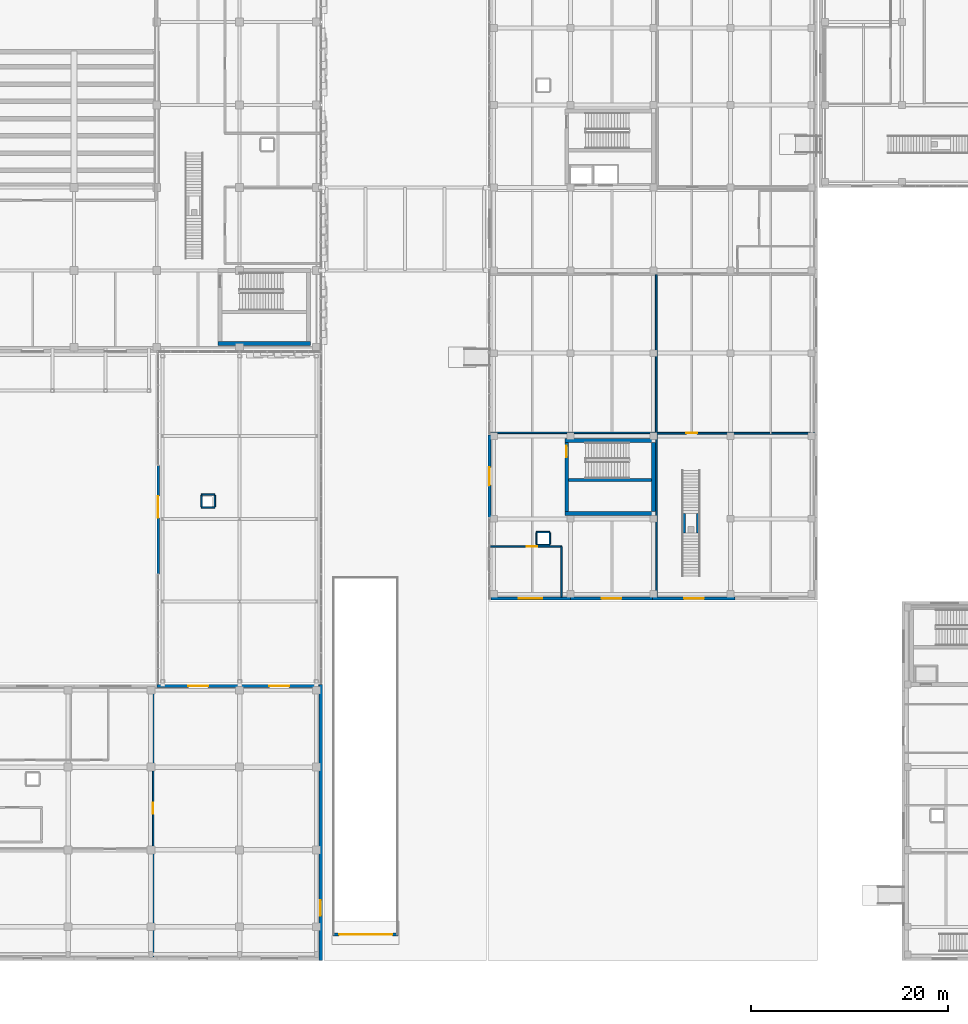
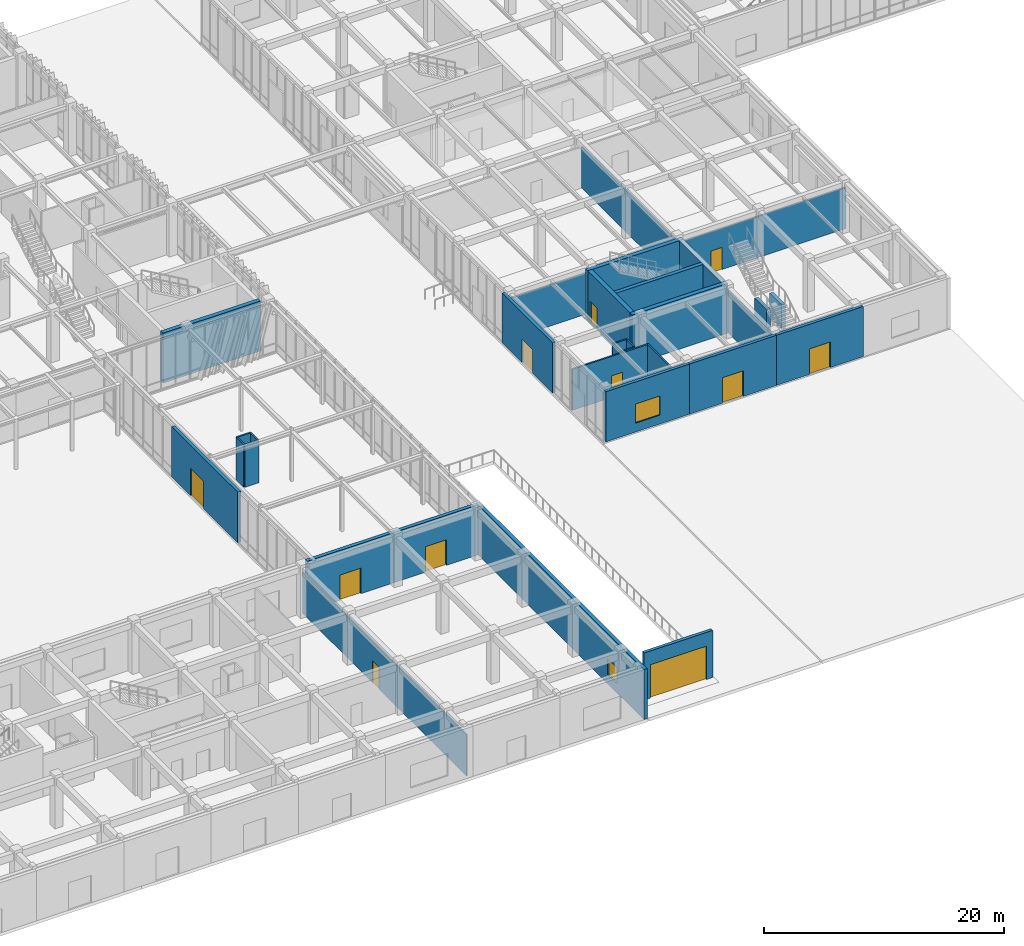
# One storey, part 95 of 122: 32 walls, 11 doors, 2 windows, 13 openings.
"""IFC4 building model written with IfcOpenShell, lengths in metres."""

from ifc_helpers import new_model, si_unit, direction, frame, frame_2d, origin, place, context, subcontext, project, spatial, rectangle, extrude, material, layer, layer_set, type_object, element, fill, save


model = new_model("IFC4")

# Units and contexts
model_context = context("Model", 3, precision=1e-05, world=origin(), true_north=direction((0.0, 1.0)))
body_context = subcontext(model_context, "Body", "Model", "MODEL_VIEW")
ifc_project = project(units=[si_unit("LENGTHUNIT", "METRE"), si_unit("AREAUNIT", "SQUARE_METRE"), si_unit("VOLUMEUNIT", "CUBIC_METRE"), si_unit("PLANEANGLEUNIT", "RADIAN"), si_unit("MASSUNIT", "GRAM", prefix="KILO")], contexts=[model_context])

# Site, building, storey
site_placement = place(None, origin())
site = spatial("IfcSite", under=ifc_project, at=site_placement, CompositionType="ELEMENT")
building_placement = place(site_placement, origin())
building = spatial("IfcBuilding", under=site, at=building_placement, Name="Zayran Congress Hotel", CompositionType="ELEMENT")
storey_placement = place(building_placement, origin())
storey = spatial("IfcBuildingStorey", under=building, at=storey_placement, Name="L00", CompositionType="ELEMENT", Elevation=0.0)

# Wall, opening, door
ifc_material_1 = material(Name="Hajar Ma'ani limestone and insulated concrete C32/40", Category="masonry")
ifc_layer_1 = layer(ifc_material_1, 0.340087890625)
ifc_layer_set_1 = layer_set([ifc_layer_1], Name="Hajar Ma'ani limestone and insulated concrete C32/40")
wall_type_1 = type_object("IfcWallType", Name="WL-EX-340", PredefinedType="SOLIDWALL", material=ifc_layer_set_1)
wall_1_placement = place(storey_placement, frame((75.60009765625, 33.830078125, 0.0), z_axis=(0.0, 0.0, 1.0), x_axis=(1.0, 0.0, 0.0)))
wall_1 = element("IfcWall", 1, at=wall_1_placement, inside=storey, type_object=wall_type_1, Name="EW-V5-N-L00-8", PredefinedType="SOLIDWALL", context=body_context, shape_type="SweptSolid", body=[
    extrude(rectangle(XDim=8.39990234375, YDim=0.340087890625, at=frame_2d((4.199951171875, 0.0))), origin(), (0.0, 0.0, 1.0), 5.10009765625),
])
opening_1_placement = place(wall_1_placement, frame((3.199951171875, 0.0, 0.0)))
opening_1 = element("IfcOpeningElement", 2, at=opening_1_placement, cuts=wall_1, Name="Opening DEX-02", PredefinedType="OPENING", context=body_context, shape_type="SweptSolid", body=[
    extrude(rectangle(XDim=2.0, YDim=2.60009765625, at=frame_2d((1.0, 1.300048828125))), frame((0.0, 0.179931640625, 0.0), z_axis=(0.0, -1.0, 0.0), x_axis=(1.0, 0.0, 0.0)), (0.0, 0.0, 1.0), 0.360107421875),
])
ifc_material_2 = material(Name="Anodised aluminium glazed entrance door", Category="aluminium")
door_type_1 = type_object("IfcDoorType", Name="TP-DEX-02", OperationType="DOUBLE_DOOR_SINGLE_SWING", PredefinedType="DOOR", material=ifc_material_2)
door_1_placement = place(opening_1_placement, origin())
door_1 = element("IfcDoor", 3, at=door_1_placement, inside=storey, type_object=door_type_1, Name="Hotel Forecourt Exit Door 43", OperationType="DOUBLE_DOOR_SINGLE_SWING", OverallHeight=2.60009765625, OverallWidth=2.0, PredefinedType="DOOR", context=body_context, shape_type="SweptSolid", body=[
    extrude(rectangle(XDim=2.0, YDim=2.60009765625, at=frame_2d((1.0, 1.300048828125))), frame((0.0, 0.02490234375, 0.0), z_axis=(0.0, -1.0, 0.0), x_axis=(1.0, 0.0, 0.0)), (0.0, 0.0, 1.0), 0.050048828125),
])
fill(opening_1, door_1)

wall_2_placement = place(storey_placement, frame((84.0, 33.830078125, 0.0), z_axis=(0.0, 0.0, 1.0), x_axis=(1.0, 0.0, 0.0)))
wall_2 = element("IfcWall", 4, at=wall_2_placement, inside=storey, type_object=wall_type_1, Name="EW-V5-N-L00-9", PredefinedType="SOLIDWALL", context=body_context, shape_type="SweptSolid", body=[
    extrude(rectangle(XDim=8.06005859375, YDim=0.340087890625, at=frame_2d((4.030029296875, 0.0))), origin(), (0.0, 0.0, 1.0), 5.10009765625),
])
opening_2_placement = place(wall_2_placement, frame((3.030029296875, 0.0, 0.0)))
opening_2 = element("IfcOpeningElement", 5, at=opening_2_placement, cuts=wall_2, Name="Opening DEX-02", PredefinedType="OPENING", context=body_context, shape_type="SweptSolid", body=[
    extrude(rectangle(XDim=2.0, YDim=2.60009765625, at=frame_2d((1.0, 1.300048828125))), frame((0.0, 0.179931640625, 0.0), z_axis=(0.0, -1.0, 0.0), x_axis=(1.0, 0.0, 0.0)), (0.0, 0.0, 1.0), 0.360107421875),
])
door_2_placement = place(opening_2_placement, origin())
door_2 = element("IfcDoor", 6, at=door_2_placement, inside=storey, type_object=door_type_1, Name="Hotel Forecourt Exit Door 44", OperationType="DOUBLE_DOOR_SINGLE_SWING", OverallHeight=2.60009765625, OverallWidth=2.0, PredefinedType="DOOR", context=body_context, shape_type="SweptSolid", body=[
    extrude(rectangle(XDim=2.0, YDim=2.60009765625, at=frame_2d((1.0, 1.300048828125))), frame((0.0, 0.02490234375, 0.0), z_axis=(0.0, -1.0, 0.0), x_axis=(1.0, 0.0, 0.0)), (0.0, 0.0, 1.0), 0.050048828125),
])
fill(opening_2, door_2)

# Wall, opening, window
wall_3_placement = place(storey_placement, frame((92.22998046875, 34.0, 0.0), z_axis=(0.0, 0.0, 1.0), x_axis=(0.0, -1.0, 0.0)))
wall_3 = element("IfcWall", 7, at=wall_3_placement, inside=storey, type_object=wall_type_1, Name="EW-V5-E-L00", PredefinedType="SOLIDWALL", context=body_context, shape_type="SweptSolid", body=[
    extrude(rectangle(XDim=28.0, YDim=0.340087890625, at=frame_2d((14.0, 0.0))), origin(), (0.0, 0.0, 1.0), 5.10009765625),
])
opening_3_placement = place(wall_3_placement, frame((21.89990234375, 0.0, 0.949951171875)))
opening_3 = element("IfcOpeningElement", 8, at=opening_3_placement, cuts=wall_3, Name="Opening WN-15", PredefinedType="OPENING", context=body_context, shape_type="SweptSolid", body=[
    extrude(rectangle(XDim=1.60009765625, YDim=1.60009765625, at=frame_2d((0.800048828125, 0.800048828125))), frame((0.0, 0.179931640625, 0.0), z_axis=(0.0, -1.0, 0.0), x_axis=(1.0, 0.0, 0.0)), (0.0, 0.0, 1.0), 0.360107421875),
])
ifc_material_3 = material(Name="Anodised aluminium and low-E insulated glass", Category="aluminium")
window_type_1 = type_object("IfcWindowType", Name="TP-WN-15", PartitioningType="SINGLE_PANEL", PredefinedType="WINDOW", material=ifc_material_3)
window_1_placement = place(opening_3_placement, origin())
window_1 = element("IfcWindow", 9, at=window_1_placement, inside=storey, type_object=window_type_1, Name="WIN-V5E-L00", OverallHeight=1.60009765625, OverallWidth=1.60009765625, PartitioningType="SINGLE_PANEL", PredefinedType="WINDOW", context=body_context, shape_type="SweptSolid", body=[
    extrude(rectangle(XDim=1.60009765625, YDim=1.60009765625, at=frame_2d((0.800048828125, 0.800048828125))), frame((0.0, 0.030029296875, 0.0), z_axis=(0.0, -1.0, 0.0), x_axis=(1.0, 0.0, 0.0)), (0.0, 0.0, 1.0), 0.06005859375),
])
fill(opening_3, window_1)

ifc_material_4 = material(Name="Ajlun white limestone and insulated concrete C32/40", Category="masonry")
ifc_layer_2 = layer(ifc_material_4, 0.300048828125)
ifc_layer_set_2 = layer_set([ifc_layer_2], Name="Ajlun white limestone and insulated concrete C32/40")
wall_type_2 = type_object("IfcWallType", Name="WL-EX-300", PredefinedType="SOLIDWALL", material=ifc_layer_set_2)
wall_4_placement = place(storey_placement, frame((117.56201171875, 42.699951171875, 0.0), z_axis=(0.0, 0.0, 1.0), x_axis=(-1.0, 0.0, 0.0)))
wall_4 = element("IfcWall", 10, at=wall_4_placement, inside=storey, type_object=wall_type_2, Name="EW-V4-S-L00-0", PredefinedType="SOLIDWALL", context=body_context, shape_type="SweptSolid", body=[
    extrude(rectangle(XDim=8.06201171875, YDim=0.300048828125, at=frame_2d((4.031005859375, 0.0))), origin(), (0.0, 0.0, 1.0), 5.10009765625),
])
opening_4_placement = place(wall_4_placement, frame((2.841064453125, 0.0, 0.89990234375)))
opening_4 = element("IfcOpeningElement", 11, at=opening_4_placement, cuts=wall_4, Name="Opening WN-41", PredefinedType="OPENING", context=body_context, shape_type="SweptSolid", body=[
    extrude(rectangle(XDim=2.3798828125, YDim=1.949951171875, at=frame_2d((1.18994140625, 0.97509765625))), frame((0.0, 0.159912109375, 0.0), z_axis=(0.0, -1.0, 0.0), x_axis=(1.0, 0.0, 0.0)), (0.0, 0.0, 1.0), 0.320068359375),
])
window_type_2 = type_object("IfcWindowType", Name="TP-WN-41", PartitioningType="DOUBLE_PANEL_VERTICAL", PredefinedType="WINDOW", material=ifc_material_3)
window_2_placement = place(opening_4_placement, origin())
window_2 = element("IfcWindow", 12, at=window_2_placement, inside=storey, type_object=window_type_2, Name="WIN-V4-0099", OverallHeight=1.949951171875, OverallWidth=2.3798828125, PartitioningType="SINGLE_PANEL", PredefinedType="WINDOW", context=body_context, shape_type="SweptSolid", body=[
    extrude(rectangle(XDim=2.3798828125, YDim=1.949951171875, at=frame_2d((1.18994140625, 0.97509765625))), frame((0.0, 0.030029296875, 0.0), z_axis=(0.0, -1.0, 0.0), x_axis=(1.0, 0.0, 0.0)), (0.0, 0.0, 1.0), 0.06005859375),
])
fill(opening_4, window_2)

# Wall, opening, door
wall_5_placement = place(storey_placement, frame((125.925048828125, 42.699951171875, 0.0), z_axis=(0.0, 0.0, 1.0), x_axis=(-1.0, 0.0, 0.0)))
wall_5 = element("IfcWall", 13, at=wall_5_placement, inside=storey, type_object=wall_type_2, Name="EW-V4-S-L00-1", PredefinedType="SOLIDWALL", context=body_context, shape_type="SweptSolid", body=[
    extrude(rectangle(XDim=8.363037109375, YDim=0.300048828125, at=frame_2d((4.181640625, 0.0))), origin(), (0.0, 0.0, 1.0), 5.10009765625),
])
opening_5_placement = place(wall_5_placement, frame((3.180908203125, 0.0, 0.0)))
opening_5 = element("IfcOpeningElement", 14, at=opening_5_placement, cuts=wall_5, Name="Opening DEX-02", PredefinedType="OPENING", context=body_context, shape_type="SweptSolid", body=[
    extrude(rectangle(XDim=2.0, YDim=2.60009765625, at=frame_2d((1.0, 1.300048828125))), frame((0.0, 0.159912109375, 0.0), z_axis=(0.0, -1.0, 0.0), x_axis=(1.0, 0.0, 0.0)), (0.0, 0.0, 1.0), 0.320068359375),
])
door_3_placement = place(opening_5_placement, origin())
door_3 = element("IfcDoor", 15, at=door_3_placement, inside=storey, type_object=door_type_1, Name="V4 Exterior Entrance Door 20", OperationType="DOUBLE_DOOR_SINGLE_SWING", OverallHeight=2.60009765625, OverallWidth=2.0, PredefinedType="DOOR", context=body_context, shape_type="SweptSolid", body=[
    extrude(rectangle(XDim=2.0, YDim=2.60009765625, at=frame_2d((1.0, 1.300048828125))), frame((0.0, 0.02490234375, 0.0), z_axis=(0.0, -1.0, 0.0), x_axis=(1.0, 0.0, 0.0)), (0.0, 0.0, 1.0), 0.050048828125),
])
fill(opening_5, door_3)

wall_6_placement = place(storey_placement, frame((134.287109375, 42.699951171875, 0.0), z_axis=(0.0, 0.0, 1.0), x_axis=(-1.0, 0.0, 0.0)))
wall_6 = element("IfcWall", 16, at=wall_6_placement, inside=storey, type_object=wall_type_2, Name="EW-V4-S-L00-2", PredefinedType="SOLIDWALL", context=body_context, shape_type="SweptSolid", body=[
    extrude(rectangle(XDim=8.362060546875, YDim=0.300048828125, at=frame_2d((4.18115234375, 0.0))), origin(), (0.0, 0.0, 1.0), 5.10009765625),
])
opening_6_placement = place(wall_6_placement, frame((3.180908203125, 0.0, 0.0)))
opening_6 = element("IfcOpeningElement", 17, at=opening_6_placement, cuts=wall_6, Name="Opening DEX-02", PredefinedType="OPENING", context=body_context, shape_type="SweptSolid", body=[
    extrude(rectangle(XDim=2.0, YDim=2.60009765625, at=frame_2d((1.0, 1.300048828125))), frame((0.0, 0.159912109375, 0.0), z_axis=(0.0, -1.0, 0.0), x_axis=(1.0, 0.0, 0.0)), (0.0, 0.0, 1.0), 0.320068359375),
])
door_4_placement = place(opening_6_placement, origin())
door_4 = element("IfcDoor", 18, at=door_4_placement, inside=storey, type_object=door_type_1, Name="V4 Exterior Entrance Door 22", OperationType="DOUBLE_DOOR_SINGLE_SWING", OverallHeight=2.60009765625, OverallWidth=2.0, PredefinedType="DOOR", context=body_context, shape_type="SweptSolid", body=[
    extrude(rectangle(XDim=2.0, YDim=2.60009765625, at=frame_2d((1.0, 1.300048828125))), frame((0.0, 0.02490234375, 0.0), z_axis=(0.0, -1.0, 0.0), x_axis=(1.0, 0.0, 0.0)), (0.0, 0.0, 1.0), 0.050048828125),
])
fill(opening_6, door_4)

wall_7_placement = place(storey_placement, frame((109.35009765625, 50.930908203125, 0.0), z_axis=(0.0, 0.0, 1.0), x_axis=(0.0, 1.0, 0.0)))
wall_7 = element("IfcWall", 19, at=wall_7_placement, inside=storey, type_object=wall_type_2, Name="EW-V4-W-L00-1", PredefinedType="SOLIDWALL", context=body_context, shape_type="SweptSolid", body=[
    extrude(rectangle(XDim=8.381103515625, YDim=0.300048828125, at=frame_2d((4.1904296875, 0.0))), origin(), (0.0, 0.0, 1.0), 5.10009765625),
])
opening_7_placement = place(wall_7_placement, frame((3.291015625, 0.0, 0.0)))
opening_7 = element("IfcOpeningElement", 20, at=opening_7_placement, cuts=wall_7, Name="Opening DEX-03", PredefinedType="OPENING", context=body_context, shape_type="SweptSolid", body=[
    extrude(rectangle(XDim=1.800048828125, YDim=2.39990234375, at=frame_2d((0.89990234375, 1.199951171875))), frame((0.0, 0.159912109375, 0.0), z_axis=(0.0, -1.0, 0.0), x_axis=(1.0, 0.0, 0.0)), (0.0, 0.0, 1.0), 0.320068359375),
])
ifc_material_5 = material(Name="Painted steel fire exit door assembly", Category="steel")
door_type_2 = type_object("IfcDoorType", Name="TP-DEX-03", OperationType="DOUBLE_DOOR_SINGLE_SWING", PredefinedType="DOOR", material=ifc_material_5)
door_5_placement = place(opening_7_placement, origin())
door_5 = element("IfcDoor", 21, at=door_5_placement, inside=storey, type_object=door_type_2, Name="V4 Side Final Exit Door 25", OperationType="DOUBLE_DOOR_SINGLE_SWING", OverallHeight=2.39990234375, OverallWidth=1.800048828125, PredefinedType="DOOR", context=body_context, shape_type="SweptSolid", body=[
    extrude(rectangle(XDim=1.800048828125, YDim=2.39990234375, at=frame_2d((0.89990234375, 1.199951171875))), frame((0.0, 0.02490234375, 0.0), z_axis=(0.0, -1.0, 0.0), x_axis=(1.0, 0.0, 0.0)), (0.0, 0.0, 1.0), 0.050048828125),
])
fill(opening_7, door_5)

wall_8_placement = place(storey_placement, frame((75.75, 56.199951171875, 0.0), z_axis=(0.0, 0.0, 1.0), x_axis=(0.0, -1.0, 0.0)))
wall_8 = element("IfcWall", 22, at=wall_8_placement, inside=storey, type_object=wall_type_2, Name="EW-BR2-W-L00-1", PredefinedType="SOLIDWALL", context=body_context, shape_type="SweptSolid", body=[
    extrude(rectangle(XDim=11.0, YDim=0.300048828125, at=frame_2d((5.5, 0.0))), origin(), (0.0, 0.0, 1.0), 5.14990234375),
])
opening_8_placement = place(wall_8_placement, frame((3.10009765625, 0.0, 0.0)))
opening_8 = element("IfcOpeningElement", 23, at=opening_8_placement, cuts=wall_8, Name="Opening DEX-01", PredefinedType="OPENING", context=body_context, shape_type="SweptSolid", body=[
    extrude(rectangle(XDim=2.199951171875, YDim=2.800048828125, at=frame_2d((1.10009765625, 1.39990234375))), frame((0.0, 0.159912109375, 0.0), z_axis=(0.0, -1.0, 0.0), x_axis=(1.0, 0.0, 0.0)), (0.0, 0.0, 1.0), 0.320068359375),
])
door_type_3 = type_object("IfcDoorType", Name="TP-DEX-01", OperationType="DOUBLE_DOOR_SINGLE_SWING", PredefinedType="DOOR", material=ifc_material_2)
door_6_placement = place(opening_8_placement, origin())
door_6 = element("IfcDoor", 24, at=door_6_placement, inside=storey, type_object=door_type_3, Name="Forecourt Concourse Gallery Entrance Door 32", OperationType="DOUBLE_DOOR_SINGLE_SWING", OverallHeight=2.800048828125, OverallWidth=2.199951171875, PredefinedType="DOOR", context=body_context, shape_type="SweptSolid", body=[
    extrude(rectangle(XDim=2.199951171875, YDim=2.800048828125, at=frame_2d((1.10009765625, 1.39990234375))), frame((0.0, 0.02490234375, 0.0), z_axis=(0.0, -1.0, 0.0), x_axis=(1.0, 0.0, 0.0)), (0.0, 0.0, 1.0), 0.050048828125),
])
fill(opening_8, door_6)

wall_9_placement = place(storey_placement, frame((93.5, 8.60009765625, 0.0), z_axis=(0.0, 0.0, 1.0), x_axis=(1.0, 0.0, 0.0)))
wall_9 = element("IfcWall", 25, at=wall_9_placement, inside=storey, type_object=wall_type_2, Name="WL-PRT-03", PredefinedType="SOLIDWALL", context=body_context, shape_type="SweptSolid", body=[
    extrude(rectangle(XDim=6.60009765625, YDim=0.300048828125, at=frame_2d((3.300048828125, 0.0))), origin(), (0.0, 0.0, 1.0), 4.800048828125),
])
opening_9_placement = place(wall_9_placement, frame((0.60009765625, 0.0, 0.0)))
opening_9 = element("IfcOpeningElement", 26, at=opening_9_placement, cuts=wall_9, Name="Opening VG-01", PredefinedType="OPENING", context=body_context, shape_type="SweptSolid", body=[
    extrude(rectangle(XDim=5.39990234375, YDim=3.39990234375, at=frame_2d((2.699951171875, 1.699951171875))), frame((0.0, 0.159912109375, 0.0), z_axis=(0.0, -1.0, 0.0), x_axis=(1.0, 0.0, 0.0)), (0.0, 0.0, 1.0), 0.320068359375),
])
ifc_material_6 = material(Name="Galvanised steel insulated roller shutter", Category="steel")
door_type_4 = type_object("IfcDoorType", Name="TP-VG-01", OperationType="ROLLINGUP", PredefinedType="GATE", material=ifc_material_6)
door_7_placement = place(opening_9_placement, origin())
door_7 = element("IfcDoor", 27, at=door_7_placement, inside=storey, type_object=door_type_4, Name="South Avenue Car Park Entry Shutter", OperationType="ROLLINGUP", OverallHeight=3.39990234375, OverallWidth=5.39990234375, PredefinedType="GATE", context=body_context, shape_type="SweptSolid", body=[
    extrude(rectangle(XDim=5.39990234375, YDim=3.39990234375, at=frame_2d((2.699951171875, 1.699951171875))), frame((0.0, 0.02490234375, 0.0), z_axis=(0.0, -1.0, 0.0), x_axis=(1.0, 0.0, 0.0)), (0.0, 0.0, 1.0), 0.050048828125),
])
fill(opening_9, door_7)

# Walls
ifc_material_7 = material(Name="Concrete C40/50", Category="concrete")
ifc_layer_3 = layer(ifc_material_7, 0.39990234375)
ifc_layer_set_3 = layer_set([ifc_layer_3], Name="Concrete C40/50")
wall_type_3 = type_object("IfcWallType", Name="WL-SH-400", PredefinedType="SHEAR", material=ifc_layer_set_3)
wall_10_placement = place(storey_placement, frame((81.800048828125, 68.60009765625, 0.0), z_axis=(0.0, 0.0, 1.0), x_axis=(1.0, 0.0, 0.0)))
element("IfcWall", 28, at=wall_10_placement, inside=storey, type_object=wall_type_3, Name="CWALL-C-V1F-L00-S", PredefinedType="SHEAR", context=body_context, shape_type="SweptSolid", body=[
    extrude(rectangle(XDim=9.39990234375, YDim=0.39990234375, at=frame_2d((4.699951171875, 0.0))), origin(), (0.0, 0.0, 1.0), 5.080078125),
])
for number, where, z_axis, x_axis, name in (
    (29, (117.0, 51.35009765625, 0.0), (0.0, 0.0, 1.0), (1.0, 0.0, 0.0), "CWALL-C-V4S-L00-S"),
    (30, (126.199951171875, 58.735107421875, 0.0), (0.0, 0.0, 1.0), (-1.0, 0.0, 0.0), "CWALL-C-V4S-L00-N"),
):
    element("IfcWall", number, at=place(storey_placement, frame(where, z_axis=z_axis, x_axis=x_axis)), inside=storey, type_object=wall_type_3, Name=name, PredefinedType="SHEAR", context=body_context, shape_type="SweptSolid", body=[
        extrude(rectangle(XDim=9.199951171875, YDim=0.39990234375, at=frame_2d((4.60009765625, 0.0))), origin(), (0.0, 0.0, 1.0), 5.080078125),
    ])

# Wall, opening, door
wall_11_placement = place(storey_placement, frame((117.199951171875, 58.550048828125, 0.0), z_axis=(0.0, 0.0, 1.0), x_axis=(0.0, -1.0, 0.0)))
wall_11 = element("IfcWall", 31, at=wall_11_placement, inside=storey, type_object=wall_type_3, Name="CWALL-C-V4S-L00-W", PredefinedType="SHEAR", context=body_context, shape_type="SweptSolid", body=[
    extrude(rectangle(XDim=7.0, YDim=0.39990234375, at=frame_2d((3.5, 0.0))), origin(), (0.0, 0.0, 1.0), 5.080078125),
])
opening_10_placement = place(wall_11_placement, frame((0.35009765625, 0.0, 0.0)))
opening_10 = element("IfcOpeningElement", 32, at=opening_10_placement, cuts=wall_11, Name="Opening DR-FD-90", PredefinedType="OPENING", context=body_context, shape_type="SweptSolid", body=[
    extrude(rectangle(XDim=1.14990234375, YDim=2.199951171875, at=frame_2d((0.574951171875, 1.10009765625))), frame((0.0, 0.2099609375, 0.0), z_axis=(0.0, -1.0, 0.0), x_axis=(1.0, 0.0, 0.0)), (0.0, 0.0, 1.0), 0.419921875),
])
ifc_material_8 = material(Name="Painted steel fire door assembly", Category="steel")
door_type_5 = type_object("IfcDoorType", Name="TP-DR-FD-90", OperationType="NOTDEFINED", PredefinedType="DOOR", material=ifc_material_8)
door_8_placement = place(opening_10_placement, origin())
door_8 = element("IfcDoor", 33, at=door_8_placement, inside=storey, type_object=door_type_5, Name="ST-08 Exit Stair Door L00", OperationType="SINGLE_SWING_LEFT", OverallHeight=2.199951171875, OverallWidth=1.14990234375, PredefinedType="DOOR", context=body_context, shape_type="SweptSolid", body=[
    extrude(rectangle(XDim=1.14990234375, YDim=2.199951171875, at=frame_2d((0.574951171875, 1.10009765625))), frame((0.0, 0.02490234375, 0.0), z_axis=(0.0, -1.0, 0.0), x_axis=(1.0, 0.0, 0.0)), (0.0, 0.0, 1.0), 0.050048828125),
])
fill(opening_10, door_8)

# Walls
wall_12_placement = place(storey_placement, frame((126.0, 51.550048828125, 0.0), z_axis=(0.0, 0.0, 1.0), x_axis=(0.0, 1.0, 0.0)))
element("IfcWall", 34, at=wall_12_placement, inside=storey, type_object=wall_type_3, Name="CWALL-C-V4S-L00-E", PredefinedType="SHEAR", context=body_context, shape_type="SweptSolid", body=[
    extrude(rectangle(XDim=7.0, YDim=0.39990234375, at=frame_2d((3.5, 0.0))), origin(), (0.0, 0.0, 1.0), 5.080078125),
])
ifc_layer_4 = layer(ifc_material_7, 0.35009765625)
ifc_layer_set_4 = layer_set([ifc_layer_4], Name="Concrete C40/50")
wall_type_4 = type_object("IfcWallType", Name="WL-SH-350", PredefinedType="SHEAR", material=ifc_layer_set_4)
wall_13_placement = place(storey_placement, frame((117.39990234375, 54.735107421875, 0.0), z_axis=(0.0, 0.0, 1.0), x_axis=(1.0, 0.0, 0.0)))
element("IfcWall", 35, at=wall_13_placement, inside=storey, type_object=wall_type_4, Name="CWALL-C-V4S-L00-SPN", PredefinedType="SHEAR", context=body_context, shape_type="SweptSolid", body=[
    extrude(rectangle(XDim=8.400146484375, YDim=0.35009765625, at=frame_2d((4.2001953125, 0.0))), origin(), (0.0, 0.0, 1.0), 5.080078125),
])
for number, where, z_axis, x_axis, name in (
    (36, (130.52490234375, 49.35009765625, 0.0), (0.0, 0.0, 1.0), (0.0, 1.0, 0.0), "VWALL-SUP-06-R"),
    (37, (129.074951171875, 49.35009765625, 0.0), (0.0, 0.0, 1.0), (0.0, 1.0, 0.0), "VWALL-SUP-06-L"),
):
    element("IfcWall", number, at=place(storey_placement, frame(where, z_axis=z_axis, x_axis=x_axis)), inside=storey, type_object=wall_type_4, Name=name, PredefinedType="SHEAR", context=body_context, shape_type="SweptSolid", body=[
        extrude(rectangle(XDim=2.0, YDim=0.35009765625, at=frame_2d((1.0, 0.0))), origin(), (0.0, 0.0, 1.0), 2.5),
    ])

# Wall, opening, door
ifc_material_9 = material(Name="Acoustic twin-stud gypsum partition", Category="gypsum")
ifc_layer_5 = layer(ifc_material_9, 0.159912109375)
ifc_layer_set_5 = layer_set([ifc_layer_5], Name="Acoustic twin-stud gypsum partition")
wall_type_5 = type_object("IfcWallType", Name="WL-PT-160", PredefinedType="PARTITIONING", material=ifc_layer_set_5)
wall_14_placement = place(storey_placement, frame((126.320068359375, 59.47998046875, 0.0), z_axis=(0.0, 0.0, 1.0), x_axis=(1.0, 0.0, 0.0)))
wall_14 = element("IfcWall", 38, at=wall_14_placement, inside=storey, type_object=wall_type_5, Name="IW-L00-0408", PredefinedType="PARTITIONING", context=body_context, shape_type="SweptSolid", body=[
    extrude(rectangle(XDim=16.030029296875, YDim=0.159912109375, at=frame_2d((8.01513671875, 0.0))), origin(), (0.0, 0.0, 1.0), 4.179931640625),
])
opening_11_placement = place(wall_14_placement, frame((3.02001953125, 0.0, 0.0)))
opening_11 = element("IfcOpeningElement", 39, at=opening_11_placement, cuts=wall_14, Name="Opening DR-MT-01", PredefinedType="OPENING", context=body_context, shape_type="SweptSolid", body=[
    extrude(rectangle(XDim=1.080078125, YDim=2.25, at=frame_2d((0.5400390625, 1.125))), frame((0.0, 0.08984375, 0.0), z_axis=(0.0, -1.0, 0.0), x_axis=(1.0, 0.0, 0.0)), (0.0, 0.0, 1.0), 0.179931640625),
])
ifc_material_10 = material(Name="Acoustic timber seminar room door", Category="wood")
door_type_6 = type_object("IfcDoorType", Name="TP-DR-MT-01", OperationType="NOTDEFINED", PredefinedType="DOOR", material=ifc_material_10)
door_9_placement = place(opening_11_placement, origin())
door_9 = element("IfcDoor", 40, at=door_9_placement, inside=storey, type_object=door_type_6, Name="Loading Bay and Receiving Dock Door", OperationType="SINGLE_SWING_LEFT", OverallHeight=2.25, OverallWidth=1.080078125, PredefinedType="DOOR", context=body_context, shape_type="SweptSolid", body=[
    extrude(rectangle(XDim=1.080078125, YDim=2.25, at=frame_2d((0.5400390625, 1.125))), frame((0.0, 0.02490234375, 0.0), z_axis=(0.0, -1.0, 0.0), x_axis=(1.0, 0.0, 0.0)), (0.0, 0.0, 1.0), 0.050048828125),
])
fill(opening_11, door_9)

wall_15_placement = place(storey_placement, frame((109.360107421875, 47.97998046875, 0.0), z_axis=(0.0, 0.0, 1.0), x_axis=(1.0, 0.0, 0.0)))
wall_15 = element("IfcWall", 41, at=wall_15_placement, inside=storey, type_object=wall_type_5, Name="IW-L00-0409", PredefinedType="PARTITIONING", context=body_context, shape_type="SweptSolid", body=[
    extrude(rectangle(XDim=7.31982421875, YDim=0.159912109375, at=frame_2d((3.659912109375, 0.0))), origin(), (0.0, 0.0, 1.0), 4.179931640625),
])
opening_12_placement = place(wall_15_placement, frame((3.780029296875, 0.0, 0.0)))
opening_12 = element("IfcOpeningElement", 42, at=opening_12_placement, cuts=wall_15, Name="Opening DR-PL-02", PredefinedType="OPENING", context=body_context, shape_type="SweptSolid", body=[
    extrude(rectangle(XDim=1.06005859375, YDim=2.199951171875, at=frame_2d((0.530029296875, 1.10009765625))), frame((0.0, 0.08984375, 0.0), z_axis=(0.0, -1.0, 0.0), x_axis=(1.0, 0.0, 0.0)), (0.0, 0.0, 1.0), 0.179931640625),
])
ifc_material_11 = material(Name="Painted steel store room fire door", Category="steel")
door_type_7 = type_object("IfcDoorType", Name="TP-DR-PL-02", OperationType="NOTDEFINED", PredefinedType="DOOR", material=ifc_material_11)
door_10_placement = place(opening_12_placement, origin())
door_10 = element("IfcDoor", 43, at=door_10_placement, inside=storey, type_object=door_type_7, Name="Dry Goods Store Room L00 Door", OperationType="SINGLE_SWING_RIGHT", OverallHeight=2.199951171875, OverallWidth=1.06005859375, PredefinedType="DOOR", context=body_context, shape_type="SweptSolid", body=[
    extrude(rectangle(XDim=1.06005859375, YDim=2.199951171875, at=frame_2d((0.530029296875, 1.10009765625))), frame((0.0, 0.02490234375, 0.0), z_axis=(0.0, -1.0, 0.0), x_axis=(1.0, 0.0, 0.0)), (0.0, 0.0, 1.0), 0.050048828125),
])
fill(opening_12, door_10)

# Walls
wall_16_placement = place(storey_placement, frame((109.360107421875, 59.52001953125, 0.0), z_axis=(0.0, 0.0, 1.0), x_axis=(1.0, 0.0, 0.0)))
element("IfcWall", 44, at=wall_16_placement, inside=storey, type_object=wall_type_5, Name="IW-L00-1682", PredefinedType="PARTITIONING", context=body_context, shape_type="SweptSolid", body=[
    extrude(rectangle(XDim=16.919921875, YDim=0.159912109375, at=frame_2d((8.4599609375, 0.0))), origin(), (0.0, 0.0, 1.0), 4.179931640625),
])
wall_17_placement = place(storey_placement, frame((126.280029296875, 59.52001953125, 0.0), z_axis=(0.0, 0.0, 1.0), x_axis=(0.0, 1.0, 0.0)))
element("IfcWall", 45, at=wall_17_placement, inside=storey, type_object=wall_type_5, Name="IW-L00-1683", PredefinedType="PARTITIONING", context=body_context, shape_type="SweptSolid", body=[
    extrude(rectangle(XDim=16.06005859375, YDim=0.159912109375, at=frame_2d((8.030029296875, 0.0))), origin(), (0.0, 0.0, 1.0), 4.179931640625),
])
wall_18_placement = place(storey_placement, frame((126.320068359375, 42.85009765625, 0.0), z_axis=(0.0, 0.0, 1.0), x_axis=(0.0, 1.0, 0.0)))
element("IfcWall", 46, at=wall_18_placement, inside=storey, type_object=wall_type_5, Name="IW-L00-1684", PredefinedType="PARTITIONING", context=body_context, shape_type="SweptSolid", body=[
    extrude(rectangle(XDim=16.6298828125, YDim=0.159912109375, at=frame_2d((8.31494140625, 0.0))), origin(), (0.0, 0.0, 1.0), 4.179931640625),
])
wall_19_placement = place(storey_placement, frame((116.679931640625, 42.85009765625, 0.0), z_axis=(0.0, 0.0, 1.0), x_axis=(0.0, 1.0, 0.0)))
element("IfcWall", 47, at=wall_19_placement, inside=storey, type_object=wall_type_5, Name="IW-L00-1685", PredefinedType="PARTITIONING", context=body_context, shape_type="SweptSolid", body=[
    extrude(rectangle(XDim=5.1298828125, YDim=0.159912109375, at=frame_2d((2.56494140625, 0.0))), origin(), (0.0, 0.0, 1.0), 4.179931640625),
])

# Wall, opening, door
ifc_material_12 = material(Name="Hospitality guestroom acoustic partition", Category="gypsum")
ifc_layer_6 = layer(ifc_material_12, 0.139892578125)
ifc_layer_set_6 = layer_set([ifc_layer_6], Name="Hospitality guestroom acoustic partition")
wall_type_6 = type_object("IfcWallType", Name="WL-PT-140", PredefinedType="PARTITIONING", material=ifc_layer_set_6)
wall_20_placement = place(storey_placement, frame((75.22998046875, 6.340087890625, 0.0), z_axis=(0.0, 0.0, 1.0), x_axis=(0.0, 1.0, 0.0)))
wall_20 = element("IfcWall", 48, at=wall_20_placement, inside=storey, type_object=wall_type_6, Name="IW-L00-0414", PredefinedType="PARTITIONING", context=body_context, shape_type="SweptSolid", body=[
    extrude(rectangle(XDim=27.31982421875, YDim=0.139892578125, at=frame_2d((13.659912109375, 0.0))), origin(), (0.0, 0.0, 1.0), 4.179931640625),
])
opening_13_placement = place(wall_20_placement, frame((14.551025390625, 0.0, 0.0)))
opening_13 = element("IfcOpeningElement", 49, at=opening_13_placement, cuts=wall_20, Name="Opening DR-MT-01", PredefinedType="OPENING", context=body_context, shape_type="SweptSolid", body=[
    extrude(rectangle(XDim=1.080078125, YDim=2.25, at=frame_2d((0.5400390625, 1.125))), frame((0.0, 0.079833984375, 0.0), z_axis=(0.0, -1.0, 0.0), x_axis=(1.0, 0.0, 0.0)), (0.0, 0.0, 1.0), 0.159912109375),
])
door_11_placement = place(opening_13_placement, origin())
door_11 = element("IfcDoor", 50, at=door_11_placement, inside=storey, type_object=door_type_6, Name="Hospitality Boutique and Business Centre Door", OperationType="SINGLE_SWING_LEFT", OverallHeight=2.25, OverallWidth=1.080078125, PredefinedType="DOOR", context=body_context, shape_type="SweptSolid", body=[
    extrude(rectangle(XDim=1.080078125, YDim=2.25, at=frame_2d((0.5400390625, 1.125))), frame((0.0, 0.02490234375, 0.0), z_axis=(0.0, -1.0, 0.0), x_axis=(1.0, 0.0, 0.0)), (0.0, 0.0, 1.0), 0.050048828125),
])
fill(opening_13, door_11)

# Walls
for number, where, z_axis, x_axis, name in (
    (51, (114.1298828125, 48.1298828125, 0.0), (0.0, 0.0, 1.0), (1.0, 0.0, 0.0), "RSWL-V4-L00-015-S"),
    (52, (115.489990234375, 49.449951171875, 0.0), (0.0, 0.0, 1.0), (-1.0, 0.0, 0.0), "RSWL-V4-L00-015-N"),
):
    element("IfcWall", number, at=place(storey_placement, frame(where, z_axis=z_axis, x_axis=x_axis)), inside=storey, type_object=wall_type_6, Name=name, PredefinedType="PARTITIONING", context=body_context, shape_type="SweptSolid", body=[
        extrude(rectangle(XDim=1.360107421875, YDim=0.139892578125, at=frame_2d((0.68017578125, 0.0))), origin(), (0.0, 0.0, 1.0), 4.199951171875),
    ])
for number, where, z_axis, x_axis, name in (
    (53, (114.1298828125, 49.3798828125, 0.0), (0.0, 0.0, 1.0), (0.0, -1.0, 0.0), "RSWL-V4-L00-015-W"),
    (54, (115.489990234375, 48.199951171875, 0.0), (0.0, 0.0, 1.0), (0.0, 1.0, 0.0), "RSWL-V4-L00-015-E"),
):
    element("IfcWall", number, at=place(storey_placement, frame(where, z_axis=z_axis, x_axis=x_axis)), inside=storey, type_object=wall_type_6, Name=name, PredefinedType="PARTITIONING", context=body_context, shape_type="SweptSolid", body=[
        extrude(rectangle(XDim=1.179931640625, YDim=0.139892578125, at=frame_2d((0.58984375, 0.0))), origin(), (0.0, 0.0, 1.0), 4.199951171875),
    ])
for number, where, z_axis, x_axis, name in (
    (55, (80.1298828125, 51.929931640625, 0.0), (0.0, 0.0, 1.0), (1.0, 0.0, 0.0), "RSWL-BR2-L00-S"),
    (56, (81.489990234375, 53.25, 0.0), (0.0, 0.0, 1.0), (-1.0, 0.0, 0.0), "RSWL-BR2-L00-N"),
):
    element("IfcWall", number, at=place(storey_placement, frame(where, z_axis=z_axis, x_axis=x_axis)), inside=storey, type_object=wall_type_6, Name=name, PredefinedType="PARTITIONING", context=body_context, shape_type="SweptSolid", body=[
        extrude(rectangle(XDim=1.360107421875, YDim=0.139892578125, at=frame_2d((0.68017578125, 0.0))), origin(), (0.0, 0.0, 1.0), 4.300048828125),
    ])
for number, where, z_axis, x_axis, name in (
    (57, (80.1298828125, 53.179931640625, 0.0), (0.0, 0.0, 1.0), (0.0, -1.0, 0.0), "RSWL-BR2-L00-W"),
    (58, (81.489990234375, 52.0, 0.0), (0.0, 0.0, 1.0), (0.0, 1.0, 0.0), "RSWL-BR2-L00-E"),
):
    element("IfcWall", number, at=place(storey_placement, frame(where, z_axis=z_axis, x_axis=x_axis)), inside=storey, type_object=wall_type_6, Name=name, PredefinedType="PARTITIONING", context=body_context, shape_type="SweptSolid", body=[
        extrude(rectangle(XDim=1.179931640625, YDim=0.139892578125, at=frame_2d((0.58984375, 0.0))), origin(), (0.0, 0.0, 1.0), 4.300048828125),
    ])

save(model, "model.ifc")
